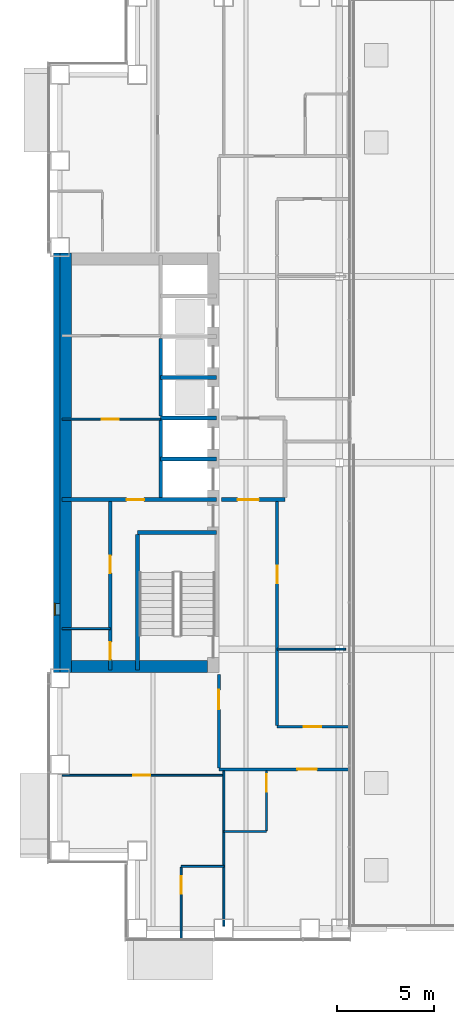
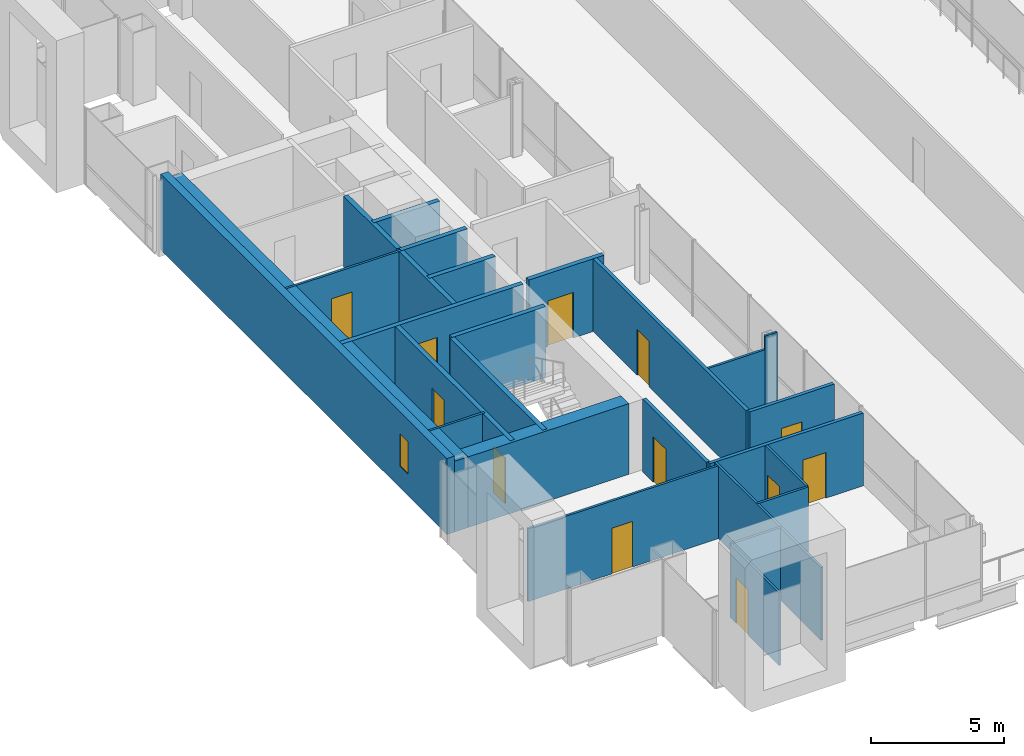
# One storey, part 17 of 24: 27 walls, 12 doors, 1 window, 13 openings.
"""IFC4 building model written with IfcOpenShell, lengths in metres."""

from ifc_helpers import new_model, si_unit, direction, frame, frame_2d, origin, place, context, subcontext, project, spatial, rectangle, extrude, material, layer, layer_set, type_object, element, fill, save


model = new_model("IFC4")

# Units and contexts
model_context = context("Model", 3, precision=1e-05, world=origin(), true_north=direction((0.0, 1.0)))
body_context = subcontext(model_context, "Body", "Model", "MODEL_VIEW")
ifc_project = project(units=[si_unit("LENGTHUNIT", "METRE"), si_unit("AREAUNIT", "SQUARE_METRE"), si_unit("VOLUMEUNIT", "CUBIC_METRE"), si_unit("PLANEANGLEUNIT", "RADIAN"), si_unit("MASSUNIT", "GRAM", prefix="KILO")], contexts=[model_context])

# Site, building, storey
site_placement = place(None, origin())
site = spatial("IfcSite", under=ifc_project, at=site_placement, CompositionType="ELEMENT")
building_placement = place(site_placement, origin())
building = spatial("IfcBuilding", under=site, at=building_placement, Name="Cobrizo Arcos Hotel Tower", CompositionType="ELEMENT")
storey_placement = place(building_placement, frame((0.0, 0.0, 60.0)))
storey = spatial("IfcBuildingStorey", under=building, at=storey_placement, Name="L13", CompositionType="ELEMENT", Elevation=60.0)

# Wall, opening, door
ifc_material_1 = material(Name="Gypsum board partition")
ifc_layer_1 = layer(ifc_material_1, 0.14990234375)
ifc_layer_set_1 = layer_set([ifc_layer_1], Name="Corridor wall EI 60 150")
wall_type_1 = type_object("IfcWallType", Name="Corridor wall EI 60 150", PredefinedType="PARTITIONING", material=ifc_layer_set_1)
wall_1_placement = place(storey_placement, frame((-15.800048828125, -15.800048828125, 0.0), z_axis=(0.0, 0.0, 1.0), x_axis=(1.0, 0.0, 0.0)))
wall_1 = element("IfcWall", 1, at=wall_1_placement, inside=storey, type_object=wall_type_1, Name="Partition 005", PredefinedType="PARTITIONING", context=body_context, shape_type="SweptSolid", body=[
    extrude(rectangle(XDim=6.679931640625, YDim=0.14990234375, at=frame_2d((3.33984375, 0.0))), origin(), (0.0, 0.0, 1.0), 3.35009765625),
])
opening_1_placement = place(wall_1_placement, frame((4.047119140625, 0.0, 0.0)))
opening_1 = element("IfcOpeningElement", 2, at=opening_1_placement, cuts=wall_1, Name="Opening GD-04", PredefinedType="OPENING", context=body_context, shape_type="SweptSolid", body=[
    extrude(rectangle(XDim=1.0, YDim=2.10009765625, at=frame_2d((0.5, 1.050048828125))), frame((0.0, 0.0869140625, 0.0), z_axis=(0.0, -1.0, 0.0), x_axis=(1.0, 0.0, 0.0)), (0.0, 0.0, 1.0), 0.173828125),
])
ifc_material_2 = material(Name="Timber door leaf", Category="wood")
door_type_1 = type_object("IfcDoorType", Name="Guest room door FD30S 1000x2100", OperationType="SINGLE_SWING_LEFT", PredefinedType="DOOR", material=ifc_material_2)
door_1_placement = place(opening_1_placement, origin())
door_1 = element("IfcDoor", 3, at=door_1_placement, inside=storey, type_object=door_type_1, Name="Door GD-04", OperationType="SINGLE_SWING_RIGHT", OverallHeight=2.10009765625, OverallWidth=1.0, PredefinedType="DOOR", context=body_context, shape_type="SweptSolid", body=[
    extrude(rectangle(XDim=1.0, YDim=2.10009765625, at=frame_2d((0.5, 1.050048828125))), frame((0.0, 0.02490234375, 0.0), z_axis=(0.0, -1.0, 0.0), x_axis=(1.0, 0.0, 0.0)), (0.0, 0.0, 1.0), 0.050048828125),
])
fill(opening_1, door_1)

wall_2_placement = place(storey_placement, frame((-12.800048828125, -13.60009765625, 0.0), z_axis=(0.0, 0.0, 1.0), x_axis=(1.0, 0.0, 0.0)))
wall_2 = element("IfcWall", 4, at=wall_2_placement, inside=storey, type_object=wall_type_1, Name="Partition 008", PredefinedType="PARTITIONING", context=body_context, shape_type="SweptSolid", body=[
    extrude(rectangle(XDim=3.679931640625, YDim=0.14990234375, at=frame_2d((1.83984375, 0.0))), origin(), (0.0, 0.0, 1.0), 3.35009765625),
])
opening_2_placement = place(wall_2_placement, frame((1.375, 0.0, 0.0)))
opening_2 = element("IfcOpeningElement", 5, at=opening_2_placement, cuts=wall_2, Name="Opening RD-15", PredefinedType="OPENING", context=body_context, shape_type="SweptSolid", body=[
    extrude(rectangle(XDim=0.89990234375, YDim=2.10009765625, at=frame_2d((0.449951171875, 1.050048828125))), frame((0.0, 0.0869140625, 0.0), z_axis=(0.0, -1.0, 0.0), x_axis=(1.0, 0.0, 0.0)), (0.0, 0.0, 1.0), 0.173828125),
])
door_type_2 = type_object("IfcDoorType", Name="Room door FD30 900x2100", OperationType="SINGLE_SWING_LEFT", PredefinedType="DOOR", material=ifc_material_2)
door_2_placement = place(opening_2_placement, origin())
door_2 = element("IfcDoor", 6, at=door_2_placement, inside=storey, type_object=door_type_2, Name="Door RD-15", OperationType="SINGLE_SWING_RIGHT", OverallHeight=2.10009765625, OverallWidth=0.89990234375, PredefinedType="DOOR", context=body_context, shape_type="SweptSolid", body=[
    extrude(rectangle(XDim=0.89990234375, YDim=2.10009765625, at=frame_2d((0.449951171875, 1.050048828125))), frame((0.0, 0.02490234375, 0.0), z_axis=(0.0, -1.0, 0.0), x_axis=(1.0, 0.0, 0.0)), (0.0, 0.0, 1.0), 0.050048828125),
])
fill(opening_2, door_2)

wall_3_placement = place(storey_placement, frame((-15.800048828125, -15.72509765625, 0.0), z_axis=(0.0, 0.0, 1.0), x_axis=(0.0, 1.0, 0.0)))
wall_3 = element("IfcWall", 7, at=wall_3_placement, inside=storey, type_object=wall_type_1, Name="Partition 061", PredefinedType="PARTITIONING", context=body_context, shape_type="SweptSolid", body=[
    extrude(rectangle(XDim=4.80517578125, YDim=0.14990234375, at=frame_2d((2.402587890625, 0.0))), origin(), (0.0, 0.0, 1.0), 3.35009765625),
])
opening_3_placement = place(wall_3_placement, frame((3.02490234375, 0.0, 0.0)))
opening_3 = element("IfcOpeningElement", 8, at=opening_3_placement, cuts=wall_3, Name="Opening GD-05", PredefinedType="OPENING", context=body_context, shape_type="SweptSolid", body=[
    extrude(rectangle(XDim=1.0, YDim=2.10009765625, at=frame_2d((0.5, 1.050048828125))), frame((0.0, 0.0869140625, 0.0), z_axis=(0.0, -1.0, 0.0), x_axis=(1.0, 0.0, 0.0)), (0.0, 0.0, 1.0), 0.173828125),
])
door_3_placement = place(opening_3_placement, origin())
door_3 = element("IfcDoor", 9, at=door_3_placement, inside=storey, type_object=door_type_1, Name="Door GD-05", OperationType="SINGLE_SWING_RIGHT", OverallHeight=2.10009765625, OverallWidth=1.0, PredefinedType="DOOR", context=body_context, shape_type="SweptSolid", body=[
    extrude(rectangle(XDim=1.0, YDim=2.10009765625, at=frame_2d((0.5, 1.050048828125))), frame((0.0, 0.02490234375, 0.0), z_axis=(0.0, -1.0, 0.0), x_axis=(1.0, 0.0, 0.0)), (0.0, 0.0, 1.0), 0.050048828125),
])
fill(opening_3, door_3)

wall_4_placement = place(storey_placement, frame((-12.800048828125, -13.52490234375, 0.0), z_axis=(0.0, 0.0, 1.0), x_axis=(0.0, 1.0, 0.0)))
wall_4 = element("IfcWall", 10, at=wall_4_placement, inside=storey, type_object=wall_type_1, Name="Partition 066", PredefinedType="PARTITIONING", context=body_context, shape_type="SweptSolid", body=[
    extrude(rectangle(XDim=11.52490234375, YDim=0.14990234375, at=frame_2d((5.762451171875, 0.0))), origin(), (0.0, 0.0, 1.0), 3.35009765625),
])
opening_4_placement = place(wall_4_placement, frame((7.324951171875, 0.0, 0.0)))
opening_4 = element("IfcOpeningElement", 11, at=opening_4_placement, cuts=wall_4, Name="Opening RD-20", PredefinedType="OPENING", context=body_context, shape_type="SweptSolid", body=[
    extrude(rectangle(XDim=0.89990234375, YDim=2.10009765625, at=frame_2d((0.449951171875, 1.050048828125))), frame((0.0, 0.0869140625, 0.0), z_axis=(0.0, -1.0, 0.0), x_axis=(1.0, 0.0, 0.0)), (0.0, 0.0, 1.0), 0.173828125),
])
door_4_placement = place(opening_4_placement, origin())
door_4 = element("IfcDoor", 12, at=door_4_placement, inside=storey, type_object=door_type_2, Name="Door RD-20", OperationType="SINGLE_SWING_LEFT", OverallHeight=2.10009765625, OverallWidth=0.89990234375, PredefinedType="DOOR", context=body_context, shape_type="SweptSolid", body=[
    extrude(rectangle(XDim=0.89990234375, YDim=2.10009765625, at=frame_2d((0.449951171875, 1.050048828125))), frame((0.0, 0.02490234375, 0.0), z_axis=(0.0, -1.0, 0.0), x_axis=(1.0, 0.0, 0.0)), (0.0, 0.0, 1.0), 0.050048828125),
])
fill(opening_4, door_4)

# Wall, opening, window
ifc_material_3 = material(Name="Aluminium composite panel pale metal", Category="aluminium")
ifc_layer_2 = layer(ifc_material_3, 0.324951171875)
ifc_layer_set_2 = layer_set([ifc_layer_2], Name="EW-1 insulated panel wall 325")
wall_type_2 = type_object("IfcWallType", Name="EW-1 insulated panel wall 325", PredefinedType="SOLIDWALL", material=ifc_layer_set_2)
wall_5_placement = place(storey_placement, frame((-24.16259765625, 10.800048828125, 0.0), z_axis=(0.0, 0.0, 1.0), x_axis=(0.0, -1.0, 0.0)))
wall_5 = element("IfcWall", 13, at=wall_5_placement, inside=storey, type_object=wall_type_2, Name="Core face wall L13 W", PredefinedType="SOLIDWALL", context=body_context, shape_type="SweptSolid", body=[
    extrude(rectangle(XDim=21.60009765625, YDim=0.324951171875, at=frame_2d((10.800048828125, 0.0))), origin(), (0.0, 0.0, 1.0), 3.5),
])
opening_5_placement = place(wall_5_placement, frame((18.050048828125, 0.0, 1.0)))
opening_5 = element("IfcOpeningElement", 14, at=opening_5_placement, cuts=wall_5, Name="Opening W-22", PredefinedType="OPENING", context=body_context, shape_type="SweptSolid", body=[
    extrude(rectangle(XDim=0.60009765625, YDim=1.5, at=frame_2d((0.300048828125, 0.75))), frame((0.0, 0.174560546875, 0.0), z_axis=(0.0, -1.0, 0.0), x_axis=(1.0, 0.0, 0.0)), (0.0, 0.0, 1.0), 0.348876953125),
])
ifc_material_4 = material(Name="Aluminium 6063-T6 and clear laminated glass", Category="aluminium")
window_type = type_object("IfcWindowType", Name="W-C1 core stair slot window 600x1500", PartitioningType="SINGLE_PANEL", PredefinedType="WINDOW", material=ifc_material_4)
window_placement = place(opening_5_placement, origin())
window = element("IfcWindow", 15, at=window_placement, inside=storey, type_object=window_type, Name="Core face wall L13 W window W-22", OverallHeight=1.5, OverallWidth=0.60009765625, PartitioningType="SINGLE_PANEL", PredefinedType="WINDOW", context=body_context, shape_type="SweptSolid", body=[
    extrude(rectangle(XDim=0.60009765625, YDim=1.5, at=frame_2d((0.300048828125, 0.75))), frame((0.0, -0.072509765625, 0.0), z_axis=(0.0, -1.0, 0.0), x_axis=(1.0, 0.0, 0.0)), (0.0, 0.0, 1.0), 0.06005859375),
])
fill(opening_5, window)

# Walls
ifc_layer_3 = layer(ifc_material_1, 0.10009765625)
ifc_layer_set_3 = layer_set([ifc_layer_3], Name="Partition EI 30 100")
wall_type_3 = type_object("IfcWallType", Name="Partition EI 30 100", PredefinedType="PARTITIONING", material=ifc_layer_set_3)
for number, where, z_axis, x_axis, name in (
    (16, (-17.75, -20.800048828125, 0.0), (0.0, 0.0, 1.0), (1.0, 0.0, 0.0), "Partition 001"),
    (17, (-15.550048828125, -19.0, 0.0), (0.0, 0.0, 1.0), (1.0, 0.0, 0.0), "Partition 002"),
):
    element("IfcWall", number, at=place(storey_placement, frame(where, z_axis=z_axis, x_axis=x_axis)), inside=storey, type_object=wall_type_3, Name=name, PredefinedType="PARTITIONING", context=body_context, shape_type="SweptSolid", body=[
        extrude(rectangle(XDim=2.199951171875, YDim=0.10009765625, at=frame_2d((1.10009765625, 0.0))), origin(), (0.0, 0.0, 1.0), 3.35009765625),
    ])

# Wall, opening, door
wall_6_placement = place(storey_placement, frame((-23.8798828125, -16.10009765625, 0.0), z_axis=(0.0, 0.0, 1.0), x_axis=(1.0, 0.0, 0.0)))
wall_6 = element("IfcWall", 18, at=wall_6_placement, inside=storey, type_object=wall_type_3, Name="Partition 004", PredefinedType="PARTITIONING", context=body_context, shape_type="SweptSolid", body=[
    extrude(rectangle(XDim=8.329833984375, YDim=0.10009765625, at=frame_2d((4.1650390625, 0.0))), origin(), (0.0, 0.0, 1.0), 3.35009765625),
])
opening_6_placement = place(wall_6_placement, frame((3.652099609375, 0.0, 0.0)))
opening_6 = element("IfcOpeningElement", 19, at=opening_6_placement, cuts=wall_6, Name="Opening RD-11", PredefinedType="OPENING", context=body_context, shape_type="SweptSolid", body=[
    extrude(rectangle(XDim=0.89990234375, YDim=2.10009765625, at=frame_2d((0.449951171875, 1.050048828125))), frame((0.0, 0.06201171875, 0.0), z_axis=(0.0, -1.0, 0.0), x_axis=(1.0, 0.0, 0.0)), (0.0, 0.0, 1.0), 0.1240234375),
])
door_5_placement = place(opening_6_placement, origin())
door_5 = element("IfcDoor", 20, at=door_5_placement, inside=storey, type_object=door_type_2, Name="Door RD-11", OperationType="SINGLE_SWING_LEFT", OverallHeight=2.10009765625, OverallWidth=0.89990234375, PredefinedType="DOOR", context=body_context, shape_type="SweptSolid", body=[
    extrude(rectangle(XDim=0.89990234375, YDim=2.10009765625, at=frame_2d((0.449951171875, 1.050048828125))), frame((0.0, 0.02490234375, 0.0), z_axis=(0.0, -1.0, 0.0), x_axis=(1.0, 0.0, 0.0)), (0.0, 0.0, 1.0), 0.050048828125),
])
fill(opening_6, door_5)

# Walls
wall_7_placement = place(storey_placement, frame((-12.800048828125, -9.60009765625, 0.0), z_axis=(0.0, 0.0, 1.0), x_axis=(1.0, 0.0, 0.0)))
element("IfcWall", 21, at=wall_7_placement, inside=storey, type_object=wall_type_3, Name="Partition 010", PredefinedType="PARTITIONING", context=body_context, shape_type="SweptSolid", body=[
    extrude(rectangle(XDim=2.99609375, YDim=0.10009765625, at=frame_2d((1.498046875, 0.0))), origin(), (0.0, 0.0, 1.0), 2.72802734375),
])
wall_8_placement = place(storey_placement, frame((-9.803955078125, -9.60009765625, 0.0), z_axis=(0.0, 0.0, 1.0), x_axis=(1.0, 0.0, 0.0)))
element("IfcWall", 22, at=wall_8_placement, inside=storey, type_object=wall_type_3, Name="Partition 011", PredefinedType="PARTITIONING", context=body_context, shape_type="SweptSolid", body=[
    extrude(rectangle(XDim=0.533935546875, YDim=0.10009765625, at=frame_2d((0.26708984375, 0.0))), origin(), (0.0, 0.0, 1.0), 3.35009765625),
])
wall_9_placement = place(storey_placement, frame((-23.8798828125, -8.550048828125, 0.0), z_axis=(0.0, 0.0, 1.0), x_axis=(1.0, 0.0, 0.0)))
element("IfcWall", 23, at=wall_9_placement, inside=storey, type_object=wall_type_3, Name="Partition 014", PredefinedType="PARTITIONING", context=body_context, shape_type="SweptSolid", body=[
    extrude(rectangle(XDim=2.47998046875, YDim=0.10009765625, at=frame_2d((1.239990234375, 0.0))), origin(), (0.0, 0.0, 1.0), 3.25),
])

# Wall, opening, door
wall_10_placement = place(storey_placement, frame((-23.8798828125, 2.25, 0.0), z_axis=(0.0, 0.0, 1.0), x_axis=(1.0, 0.0, 0.0)))
wall_10 = element("IfcWall", 24, at=wall_10_placement, inside=storey, type_object=wall_type_3, Name="Partition 026", PredefinedType="PARTITIONING", context=body_context, shape_type="SweptSolid", body=[
    extrude(rectangle(XDim=5.079833984375, YDim=0.10009765625, at=frame_2d((2.5400390625, 0.0))), origin(), (0.0, 0.0, 1.0), 3.25),
])
opening_7_placement = place(wall_10_placement, frame((2.030029296875, 0.0, 0.0)))
opening_7 = element("IfcOpeningElement", 25, at=opening_7_placement, cuts=wall_10, Name="Opening RD-04", PredefinedType="OPENING", context=body_context, shape_type="SweptSolid", body=[
    extrude(rectangle(XDim=0.89990234375, YDim=2.10009765625, at=frame_2d((0.449951171875, 1.050048828125))), frame((0.0, 0.06201171875, 0.0), z_axis=(0.0, -1.0, 0.0), x_axis=(1.0, 0.0, 0.0)), (0.0, 0.0, 1.0), 0.1240234375),
])
door_6_placement = place(opening_7_placement, origin())
door_6 = element("IfcDoor", 26, at=door_6_placement, inside=storey, type_object=door_type_2, Name="Door RD-04", OperationType="SINGLE_SWING_LEFT", OverallHeight=2.10009765625, OverallWidth=0.89990234375, PredefinedType="DOOR", context=body_context, shape_type="SweptSolid", body=[
    extrude(rectangle(XDim=0.89990234375, YDim=2.10009765625, at=frame_2d((0.449951171875, 1.050048828125))), frame((0.0, 0.02490234375, 0.0), z_axis=(0.0, -1.0, 0.0), x_axis=(1.0, 0.0, 0.0)), (0.0, 0.0, 1.0), 0.050048828125),
])
fill(opening_7, door_6)

wall_11_placement = place(storey_placement, frame((-17.75, -24.530029296875, 0.0), z_axis=(0.0, 0.0, 1.0), x_axis=(0.0, 1.0, 0.0)))
wall_11 = element("IfcWall", 27, at=wall_11_placement, inside=storey, type_object=wall_type_3, Name="Partition 060", PredefinedType="PARTITIONING", context=body_context, shape_type="SweptSolid", body=[
    extrude(rectangle(XDim=3.679931640625, YDim=0.10009765625, at=frame_2d((1.83984375, 0.0))), origin(), (0.0, 0.0, 1.0), 3.35009765625),
])
opening_8_placement = place(wall_11_placement, frame((2.320068359375, 0.0, 0.0)))
opening_8 = element("IfcOpeningElement", 28, at=opening_8_placement, cuts=wall_11, Name="Opening ED-05", PredefinedType="OPENING", context=body_context, shape_type="SweptSolid", body=[
    extrude(rectangle(XDim=0.89990234375, YDim=2.10009765625, at=frame_2d((0.449951171875, 1.050048828125))), frame((0.0, 0.06201171875, 0.0), z_axis=(0.0, -1.0, 0.0), x_axis=(1.0, 0.0, 0.0)), (0.0, 0.0, 1.0), 0.1240234375),
])
door_type_3 = type_object("IfcDoorType", Name="En-suite door 900x2100", OperationType="SINGLE_SWING_LEFT", PredefinedType="DOOR", material=ifc_material_2)
door_7_placement = place(opening_8_placement, origin())
door_7 = element("IfcDoor", 29, at=door_7_placement, inside=storey, type_object=door_type_3, Name="Door ED-05", OperationType="SINGLE_SWING_RIGHT", OverallHeight=2.10009765625, OverallWidth=0.89990234375, PredefinedType="DOOR", context=body_context, shape_type="SweptSolid", body=[
    extrude(rectangle(XDim=0.89990234375, YDim=2.10009765625, at=frame_2d((0.449951171875, 1.050048828125))), frame((0.0, 0.02490234375, 0.0), z_axis=(0.0, -1.0, 0.0), x_axis=(1.0, 0.0, 0.0)), (0.0, 0.0, 1.0), 0.050048828125),
])
fill(opening_8, door_7)

# Wall
wall_12_placement = place(storey_placement, frame((-15.550048828125, -23.8798828125, 0.0), z_axis=(0.0, 0.0, 1.0), x_axis=(0.0, 1.0, 0.0)))
element("IfcWall", 30, at=wall_12_placement, inside=storey, type_object=wall_type_3, Name="Partition 063", PredefinedType="PARTITIONING", context=body_context, shape_type="SweptSolid", body=[
    extrude(rectangle(XDim=8.0048828125, YDim=0.10009765625, at=frame_2d((4.00244140625, 0.0))), origin(), (0.0, 0.0, 1.0), 3.35009765625),
])

# Wall, opening, door
wall_13_placement = place(storey_placement, frame((-13.35009765625, -18.949951171875, 0.0), z_axis=(0.0, 0.0, 1.0), x_axis=(0.0, 1.0, 0.0)))
wall_13 = element("IfcWall", 31, at=wall_13_placement, inside=storey, type_object=wall_type_3, Name="Partition 065", PredefinedType="PARTITIONING", context=body_context, shape_type="SweptSolid", body=[
    extrude(rectangle(XDim=3.074951171875, YDim=0.10009765625, at=frame_2d((1.53759765625, 0.0))), origin(), (0.0, 0.0, 1.0), 3.35009765625),
])
opening_9_placement = place(wall_13_placement, frame((1.99609375, 0.0, 0.0)))
opening_9 = element("IfcOpeningElement", 32, at=opening_9_placement, cuts=wall_13, Name="Opening ED-04", PredefinedType="OPENING", context=body_context, shape_type="SweptSolid", body=[
    extrude(rectangle(XDim=0.89990234375, YDim=2.10009765625, at=frame_2d((0.449951171875, 1.050048828125))), frame((0.0, 0.06201171875, 0.0), z_axis=(0.0, -1.0, 0.0), x_axis=(1.0, 0.0, 0.0)), (0.0, 0.0, 1.0), 0.1240234375),
])
door_8_placement = place(opening_9_placement, origin())
door_8 = element("IfcDoor", 33, at=door_8_placement, inside=storey, type_object=door_type_3, Name="Door ED-04", OperationType="SINGLE_SWING_LEFT", OverallHeight=2.10009765625, OverallWidth=0.89990234375, PredefinedType="DOOR", context=body_context, shape_type="SweptSolid", body=[
    extrude(rectangle(XDim=0.89990234375, YDim=2.10009765625, at=frame_2d((0.449951171875, 1.050048828125))), frame((0.0, 0.02490234375, 0.0), z_axis=(0.0, -1.0, 0.0), x_axis=(1.0, 0.0, 0.0)), (0.0, 0.0, 1.0), 0.050048828125),
])
fill(opening_9, door_8)

# Walls
ifc_material_5 = material(Name="Concrete f'c 60 MPa", Category="concrete")
ifc_layer_4 = layer(ifc_material_5, 0.60009765625)
ifc_layer_set_4 = layer_set([ifc_layer_4], Name="RC core wall 600 f'c 60")
wall_type_4 = type_object("IfcWallType", Name="RC core wall 600 f'c 60", PredefinedType="SHEAR", material=ifc_layer_set_4)
wall_14_placement = place(storey_placement, frame((-23.699951171875, -10.800048828125, 0.0), z_axis=(0.0, 0.0, 1.0), x_axis=(0.0, 1.0, 0.0)))
element("IfcWall", 34, at=wall_14_placement, inside=storey, type_object=wall_type_4, Name="Core wall CW1, west core, outer face, L13", PredefinedType="SHEAR", context=body_context, shape_type="SweptSolid", body=[
    extrude(rectangle(XDim=21.60009765625, YDim=0.60009765625, at=frame_2d((10.800048828125, 0.0))), origin(), (0.0, 0.0, 1.0), 3.25),
])
wall_15_placement = place(storey_placement, frame((-23.39990234375, -10.5, 0.0), z_axis=(0.0, 0.0, 1.0), x_axis=(1.0, 0.0, 0.0)))
element("IfcWall", 35, at=wall_15_placement, inside=storey, type_object=wall_type_4, Name="Core wall CW1, west core, south end, L13", PredefinedType="SHEAR", context=body_context, shape_type="SweptSolid", body=[
    extrude(rectangle(XDim=7.0, YDim=0.60009765625, at=frame_2d((3.5, 0.0))), origin(), (0.0, 0.0, 1.0), 3.25),
])

# Wall, opening, door
ifc_layer_5 = layer(ifc_material_1, 0.199951171875)
ifc_layer_set_5 = layer_set([ifc_layer_5], Name="Shaft wall EI 120 200")
wall_type_5 = type_object("IfcWallType", Name="Shaft wall EI 120 200", PredefinedType="PARTITIONING", material=ifc_layer_set_5)
wall_16_placement = place(storey_placement, frame((-23.8798828125, -1.89990234375, 0.0), z_axis=(0.0, 0.0, 1.0), x_axis=(1.0, 0.0, 0.0)))
wall_16 = element("IfcWall", 36, at=wall_16_placement, inside=storey, type_object=wall_type_5, Name="Partition 018", PredefinedType="PARTITIONING", context=body_context, shape_type="SweptSolid", body=[
    extrude(rectangle(XDim=7.9599609375, YDim=0.199951171875, at=frame_2d((3.97998046875, 0.0))), origin(), (0.0, 0.0, 1.0), 3.25),
])
opening_10_placement = place(wall_16_placement, frame((3.320068359375, 0.0, 0.0)))
opening_10 = element("IfcOpeningElement", 37, at=opening_10_placement, cuts=wall_16, Name="Opening RD-03", PredefinedType="OPENING", context=body_context, shape_type="SweptSolid", body=[
    extrude(rectangle(XDim=0.89990234375, YDim=2.10009765625, at=frame_2d((0.449951171875, 1.050048828125))), frame((0.0, 0.112060546875, 0.0), z_axis=(0.0, -1.0, 0.0), x_axis=(1.0, 0.0, 0.0)), (0.0, 0.0, 1.0), 0.223876953125),
])
door_9_placement = place(opening_10_placement, origin())
door_9 = element("IfcDoor", 38, at=door_9_placement, inside=storey, type_object=door_type_2, Name="Door RD-03", OperationType="SINGLE_SWING_LEFT", OverallHeight=2.10009765625, OverallWidth=0.89990234375, PredefinedType="DOOR", context=body_context, shape_type="SweptSolid", body=[
    extrude(rectangle(XDim=0.89990234375, YDim=2.10009765625, at=frame_2d((0.449951171875, 1.050048828125))), frame((0.0, 0.02490234375, 0.0), z_axis=(0.0, -1.0, 0.0), x_axis=(1.0, 0.0, 0.0)), (0.0, 0.0, 1.0), 0.050048828125),
])
fill(opening_10, door_9)

wall_17_placement = place(storey_placement, frame((-15.679931640625, -1.89990234375, 0.0), z_axis=(0.0, 0.0, 1.0), x_axis=(1.0, 0.0, 0.0)))
wall_17 = element("IfcWall", 39, at=wall_17_placement, inside=storey, type_object=wall_type_5, Name="Partition 019", PredefinedType="PARTITIONING", context=body_context, shape_type="SweptSolid", body=[
    extrude(rectangle(XDim=3.280029296875, YDim=0.199951171875, at=frame_2d((1.64013671875, 0.0))), origin(), (0.0, 0.0, 1.0), 3.35009765625),
])
opening_11_placement = place(wall_17_placement, frame((0.840087890625, 0.0, 0.0)))
opening_11 = element("IfcOpeningElement", 40, at=opening_11_placement, cuts=wall_17, Name="Opening FD-03", PredefinedType="OPENING", context=body_context, shape_type="SweptSolid", body=[
    extrude(rectangle(XDim=1.10009765625, YDim=2.10009765625, at=frame_2d((0.550048828125, 1.050048828125))), frame((0.0, 0.112060546875, 0.0), z_axis=(0.0, -1.0, 0.0), x_axis=(1.0, 0.0, 0.0)), (0.0, 0.0, 1.0), 0.223876953125),
])
ifc_material_6 = material(Name="Steel door leaf", Category="steel")
door_type_4 = type_object("IfcDoorType", Name="Fire door FD60 1100x2100", OperationType="SINGLE_SWING_LEFT", PredefinedType="DOOR", material=ifc_material_6)
door_10_placement = place(opening_11_placement, origin())
door_10 = element("IfcDoor", 41, at=door_10_placement, inside=storey, type_object=door_type_4, Name="Door FD-03", OperationType="SINGLE_SWING_LEFT", OverallHeight=2.10009765625, OverallWidth=1.10009765625, PredefinedType="DOOR", context=body_context, shape_type="SweptSolid", body=[
    extrude(rectangle(XDim=1.10009765625, YDim=2.10009765625, at=frame_2d((0.550048828125, 1.050048828125))), frame((0.0, 0.02490234375, 0.0), z_axis=(0.0, -1.0, 0.0), x_axis=(1.0, 0.0, 0.0)), (0.0, 0.0, 1.0), 0.050048828125),
])
fill(opening_11, door_10)

# Walls
for number, where, z_axis, x_axis, name in (
    (42, (-18.800048828125, 0.199951171875, 0.0), (0.0, 0.0, 1.0), (1.0, 0.0, 0.0), "Partition 022"),
    (43, (-18.800048828125, 2.300048828125, 0.0), (0.0, 0.0, 1.0), (1.0, 0.0, 0.0), "Partition 028"),
    (44, (-18.800048828125, 4.39990234375, 0.0), (0.0, 0.0, 1.0), (1.0, 0.0, 0.0), "Partition 034"),
):
    element("IfcWall", number, at=place(storey_placement, frame(where, z_axis=z_axis, x_axis=x_axis)), inside=storey, type_object=wall_type_5, Name=name, PredefinedType="PARTITIONING", context=body_context, shape_type="SweptSolid", body=[
        extrude(rectangle(XDim=2.880126953125, YDim=0.199951171875, at=frame_2d((1.43994140625, 0.0))), origin(), (0.0, 0.0, 1.0), 3.25),
    ])

# Wall, openings, doors
wall_18_placement = place(storey_placement, frame((-21.39990234375, -10.679931640625, 0.0), z_axis=(0.0, 0.0, 1.0), x_axis=(0.0, 1.0, 0.0)))
wall_18 = element("IfcWall", 45, at=wall_18_placement, inside=storey, type_object=wall_type_5, Name="Partition 054", PredefinedType="PARTITIONING", context=body_context, shape_type="SweptSolid", body=[
    extrude(rectangle(XDim=8.679931640625, YDim=0.199951171875, at=frame_2d((4.33984375, 0.0))), origin(), (0.0, 0.0, 1.0), 3.25),
])
opening_12_placement = place(wall_18_placement, frame((0.54296875, 0.0, 0.0)))
opening_12 = element("IfcOpeningElement", 46, at=opening_12_placement, cuts=wall_18, Name="Opening RD-01", PredefinedType="OPENING", context=body_context, shape_type="SweptSolid", body=[
    extrude(rectangle(XDim=0.89990234375, YDim=2.10009765625, at=frame_2d((0.449951171875, 1.050048828125))), frame((0.0, 0.112060546875, 0.0), z_axis=(0.0, -1.0, 0.0), x_axis=(1.0, 0.0, 0.0)), (0.0, 0.0, 1.0), 0.223876953125),
])
opening_13_placement = place(wall_18_placement, frame((4.992919921875, 0.0, 0.0)))
opening_13 = element("IfcOpeningElement", 47, at=opening_13_placement, cuts=wall_18, Name="Opening RD-02", PredefinedType="OPENING", context=body_context, shape_type="SweptSolid", body=[
    extrude(rectangle(XDim=0.89990234375, YDim=2.10009765625, at=frame_2d((0.449951171875, 1.050048828125))), frame((0.0, 0.112060546875, 0.0), z_axis=(0.0, -1.0, 0.0), x_axis=(1.0, 0.0, 0.0)), (0.0, 0.0, 1.0), 0.223876953125),
])
door_11_placement = place(opening_12_placement, origin())
door_11 = element("IfcDoor", 48, at=door_11_placement, inside=storey, type_object=door_type_2, Name="Door RD-01", OperationType="SINGLE_SWING_LEFT", OverallHeight=2.10009765625, OverallWidth=0.89990234375, PredefinedType="DOOR", context=body_context, shape_type="SweptSolid", body=[
    extrude(rectangle(XDim=0.89990234375, YDim=2.10009765625, at=frame_2d((0.449951171875, 1.050048828125))), frame((0.0, 0.02490234375, 0.0), z_axis=(0.0, -1.0, 0.0), x_axis=(1.0, 0.0, 0.0)), (0.0, 0.0, 1.0), 0.050048828125),
])
fill(opening_12, door_11)
door_12_placement = place(opening_13_placement, origin())
door_12 = element("IfcDoor", 49, at=door_12_placement, inside=storey, type_object=door_type_2, Name="Door RD-02", OperationType="SINGLE_SWING_LEFT", OverallHeight=2.10009765625, OverallWidth=0.89990234375, PredefinedType="DOOR", context=body_context, shape_type="SweptSolid", body=[
    extrude(rectangle(XDim=0.89990234375, YDim=2.10009765625, at=frame_2d((0.449951171875, 1.050048828125))), frame((0.0, 0.02490234375, 0.0), z_axis=(0.0, -1.0, 0.0), x_axis=(1.0, 0.0, 0.0)), (0.0, 0.0, 1.0), 0.050048828125),
])
fill(opening_13, door_12)

# Walls
for number, where, z_axis, x_axis, name in (
    (50, (-18.800048828125, -1.800048828125, 0.0), (0.0, 0.0, 1.0), (0.0, 1.0, 0.0), "Partition 057"),
    (51, (-18.800048828125, 2.39990234375, 0.0), (0.0, 0.0, 1.0), (0.0, 1.0, 0.0), "Partition 058"),
):
    element("IfcWall", number, at=place(storey_placement, frame(where, z_axis=z_axis, x_axis=x_axis)), inside=storey, type_object=wall_type_5, Name=name, PredefinedType="PARTITIONING", context=body_context, shape_type="SweptSolid", body=[
        extrude(rectangle(XDim=4.0, YDim=0.199951171875, at=frame_2d((2.0, 0.0))), origin(), (0.0, 0.0, 1.0), 3.25),
    ])
ifc_material_7 = material(Name="Concrete f'c 40 MPa", Category="concrete")
ifc_layer_6 = layer(ifc_material_7, 0.199951171875)
ifc_layer_set_6 = layer_set([ifc_layer_6], Name="Stair shaft wall 200")
wall_type_6 = type_object("IfcWallType", Name="Stair shaft wall 200", PredefinedType="SHEAR", material=ifc_layer_set_6)
wall_19_placement = place(storey_placement, frame((-20.0, -3.60009765625, 0.0), z_axis=(0.0, 0.0, 1.0), x_axis=(1.0, 0.0, 0.0)))
element("IfcWall", 52, at=wall_19_placement, inside=storey, type_object=wall_type_6, Name="Stair shaft wall W", PredefinedType="SHEAR", context=body_context, shape_type="SweptSolid", body=[
    extrude(rectangle(XDim=4.080078125, YDim=0.199951171875, at=frame_2d((2.0400390625, 0.0))), origin(), (0.0, 0.0, 1.0), 3.25),
])
wall_20_placement = place(storey_placement, frame((-20.0, -10.679931640625, 0.0), z_axis=(0.0, 0.0, 1.0), x_axis=(0.0, 1.0, 0.0)))
element("IfcWall", 53, at=wall_20_placement, inside=storey, type_object=wall_type_6, Name="Stair shaft wall W", PredefinedType="SHEAR", context=body_context, shape_type="SweptSolid", body=[
    extrude(rectangle(XDim=6.97998046875, YDim=0.199951171875, at=frame_2d((3.489990234375, 0.0))), origin(), (0.0, 0.0, 1.0), 3.25),
])

save(model, "model.ifc")
